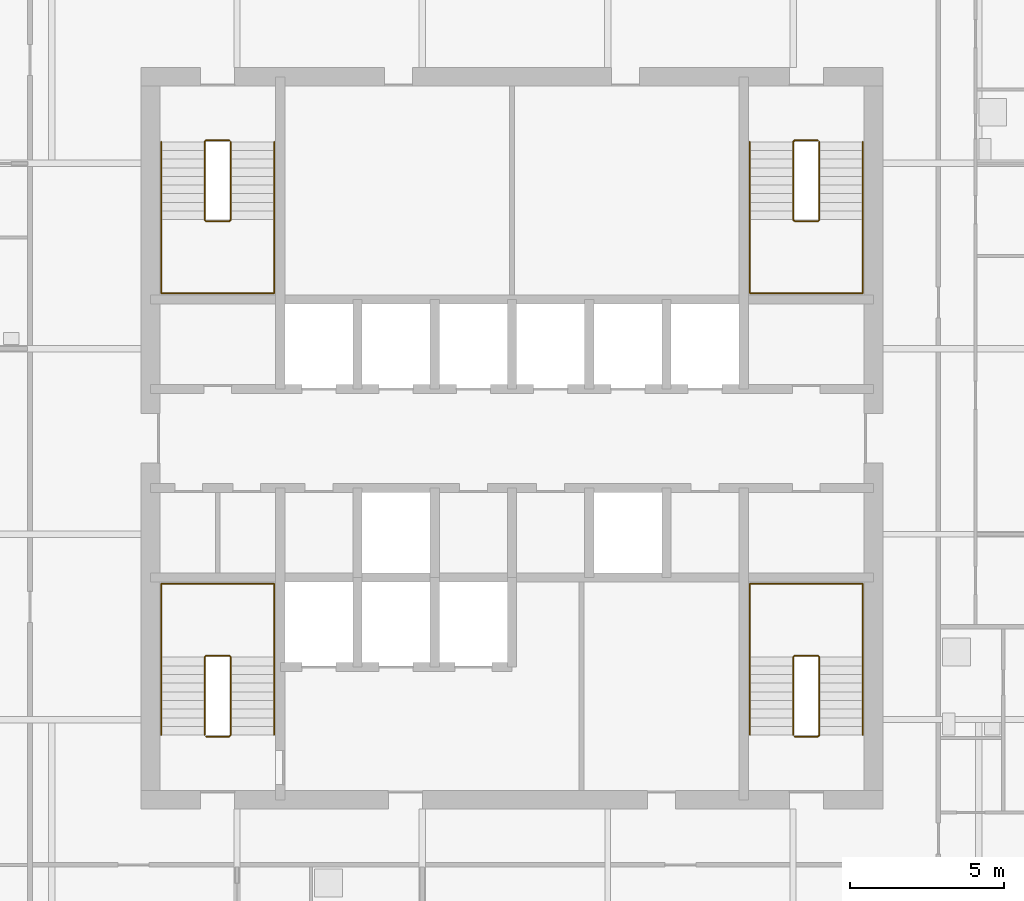
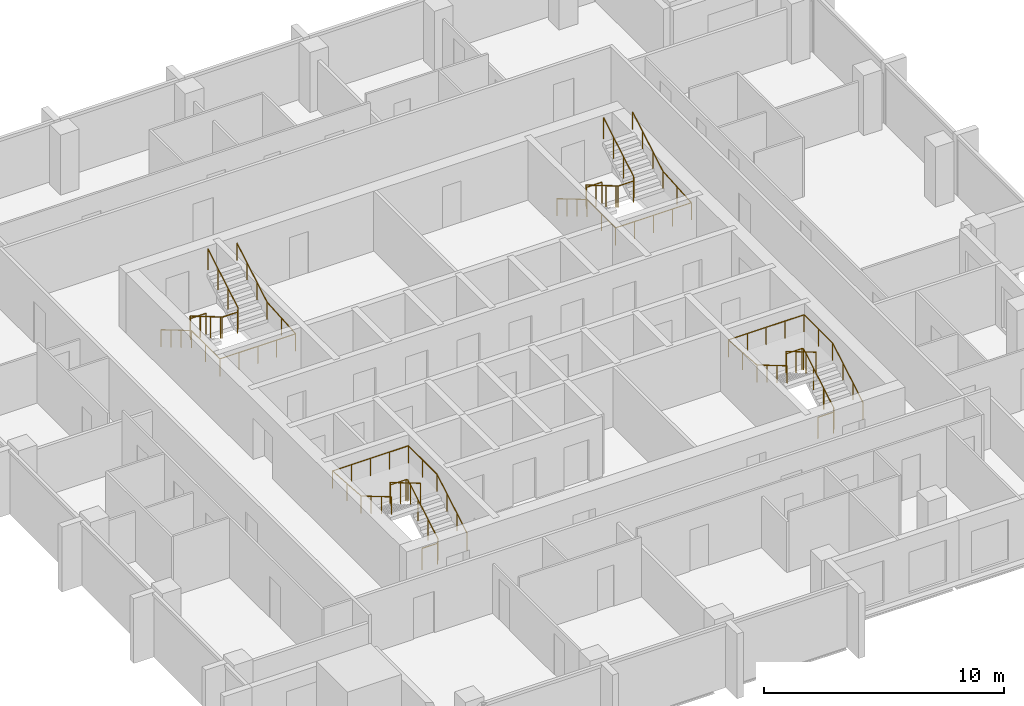
# One storey, part 9 of 10: 8 railings.
"""IFC4 building model written with IfcOpenShell, lengths in metres."""

from ifc_helpers import new_model, si_unit, direction, frame, origin, origin_2d, place, context, subcontext, project, spatial, circle, extrude, material, type_object, element, save


model = new_model("IFC4")

# Units and contexts
model_context = context("Model", 3, precision=1e-05, world=origin(), true_north=direction((0.0, 1.0)))
body_context = subcontext(model_context, "Body", "Model", "MODEL_VIEW")
ifc_project = project(units=[si_unit("LENGTHUNIT", "METRE"), si_unit("AREAUNIT", "SQUARE_METRE"), si_unit("VOLUMEUNIT", "CUBIC_METRE"), si_unit("PLANEANGLEUNIT", "RADIAN"), si_unit("MASSUNIT", "GRAM", prefix="KILO")], contexts=[model_context])

# Site, building, storey
site_placement = place(None, origin())
site = spatial("IfcSite", under=ifc_project, at=site_placement, CompositionType="ELEMENT")
building_placement = place(site_placement, origin())
building = spatial("IfcBuilding", under=site, at=building_placement, Name="Amberfall Residences", CompositionType="ELEMENT")
storey_placement = place(building_placement, frame((0.0, 0.0, 213.39990234375)))
storey = spatial("IfcBuildingStorey", under=building, at=storey_placement, Name="L57", CompositionType="ELEMENT", Elevation=213.39990234375)

# Railings
ifc_material = material(Name="Stainless steel 316", Category="steel")
railing_type_1 = type_object("IfcRailingType", Name="Stair guard 1100", PredefinedType="GUARDRAIL", material=ifc_material)
railing_1_placement = place(storey_placement, frame((64.60009765625, 35.85009765625, 0.0)))
element("IfcRailing", 1, at=railing_1_placement, inside=storey, type_object=railing_type_1, Name="L57 stair 1 guard", PredefinedType="GUARDRAIL", context=body_context, shape_type="SweptSolid", body=[
    extrude(circle(Radius=0.02392578125, at=origin_2d()), frame((0.0, 0.0, 1.076171875), z_axis=(1.0, 0.0, 0.0), x_axis=(0.0, 1.0, 0.0)), (0.0, 0.0, 1.0), 0.75),
    extrude(circle(Radius=0.02392578125, at=origin_2d()), frame((0.75, 0.0, 1.076171875), z_axis=(0.27755538755, 0.27755538755, 0.919742362667), x_axis=(-0.707106781187, 0.707106781187, 0.0)), (0.0, 0.0, 1.0), 0.179443359375),
    extrude(circle(Radius=0.02392578125, at=origin_2d()), frame((0.7998046875, 0.0498046875, 1.2412109375), z_axis=(0.0, 0.86152411907, 0.507716645641), x_axis=(-1.0, 0.0, 0.0)), (0.0, 0.0, 1.0), 2.925048828125),
    extrude(circle(Radius=0.02392578125, at=origin_2d()), frame((0.7998046875, 2.56982421875, 2.72607421875), z_axis=(-0.705375805398, 0.708833529934, 0.0), x_axis=(-0.708833529934, -0.705375805398, 0.0)), (0.0, 0.0, 1.0), 0.070556640625),
    extrude(circle(Radius=0.02392578125, at=origin_2d()), frame((0.75, 2.619873046875, 2.72607421875), z_axis=(-1.0, 0.0, 0.0), x_axis=(0.0, -1.0, 0.0)), (0.0, 0.0, 1.0), 0.75),
    extrude(circle(Radius=0.02392578125, at=origin_2d()), frame((0.0, 2.619873046875, 2.72607421875), z_axis=(-0.278705021027, -0.278705021027, 0.919046801044), x_axis=(0.707106781187, -0.707106781187, 0.0)), (0.0, 0.0, 1.0), 0.1796875),
    extrude(circle(Radius=0.02392578125, at=origin_2d()), frame((-0.050048828125, 2.56982421875, 2.89111328125), z_axis=(0.0, -0.861560626758, 0.507654692109), x_axis=(1.0, 0.0, 0.0)), (0.0, 0.0, 1.0), 2.925048828125),
    extrude(circle(Radius=0.02099609375, at=origin_2d()), origin(), (0.0, 0.0, 1.0), 1.052001953125),
    extrude(circle(Radius=0.02099609375, at=origin_2d()), frame((0.75, 0.0, 0.0)), (0.0, 0.0, 1.0), 1.052001953125),
    extrude(circle(Radius=0.02099609375, at=origin_2d()), frame((0.7998046875, 0.0498046875, 0.1650390625)), (0.0, 0.0, 1.0), 1.052001953125),
    extrude(circle(Radius=0.02099609375, at=origin_2d()), frame((0.7998046875, 0.889892578125, 0.66015625)), (0.0, 0.0, 1.0), 1.052001953125),
    extrude(circle(Radius=0.02099609375, at=origin_2d()), frame((0.7998046875, 1.729736328125, 1.155029296875)), (0.0, 0.0, 1.0), 1.052001953125),
    extrude(circle(Radius=0.02099609375, at=origin_2d()), frame((0.7998046875, 2.56982421875, 1.650146484375)), (0.0, 0.0, 1.0), 1.052001953125),
    extrude(circle(Radius=0.02099609375, at=origin_2d()), frame((0.75, 2.619873046875, 1.650146484375)), (0.0, 0.0, 1.0), 1.052001953125),
    extrude(circle(Radius=0.02099609375, at=origin_2d()), frame((0.0, 2.619873046875, 1.650146484375)), (0.0, 0.0, 1.0), 1.052001953125),
    extrude(circle(Radius=0.02099609375, at=origin_2d()), frame((-0.050048828125, 2.56982421875, 1.815185546875)), (0.0, 0.0, 1.0), 1.052001953125),
    extrude(circle(Radius=0.02099609375, at=origin_2d()), frame((-0.050048828125, 1.729736328125, 2.31005859375)), (0.0, 0.0, 1.0), 1.052001953125),
    extrude(circle(Radius=0.02099609375, at=origin_2d()), frame((-0.050048828125, 0.889892578125, 2.80517578125)), (0.0, 0.0, 1.0), 1.052001953125),
    extrude(circle(Radius=0.02099609375, at=origin_2d()), frame((-0.050048828125, 0.0498046875, 3.300048828125)), (0.0, 0.0, 1.0), 1.052001953125),
])
railing_2_placement = place(storey_placement, frame((83.64990234375, 35.85009765625, 0.0)))
element("IfcRailing", 2, at=railing_2_placement, inside=storey, type_object=railing_type_1, Name="L57 stair 2 guard", PredefinedType="GUARDRAIL", context=body_context, shape_type="SweptSolid", body=[
    extrude(circle(Radius=0.02392578125, at=origin_2d()), frame((0.0, 0.0, 1.076171875), z_axis=(1.0, 0.0, 0.0), x_axis=(0.0, 1.0, 0.0)), (0.0, 0.0, 1.0), 0.75),
    extrude(circle(Radius=0.02392578125, at=origin_2d()), frame((0.75, 0.0, 1.076171875), z_axis=(0.278810427259, 0.277450376394, 0.919394384522), x_axis=(-0.705375805398, 0.708833529934, 0.0)), (0.0, 0.0, 1.0), 0.179443359375),
    extrude(circle(Radius=0.02392578125, at=origin_2d()), frame((0.800048828125, 0.0498046875, 1.2412109375), z_axis=(0.0, 0.86152411907, 0.507716645641), x_axis=(-1.0, 0.0, 0.0)), (0.0, 0.0, 1.0), 2.925048828125),
    extrude(circle(Radius=0.02392578125, at=origin_2d()), frame((0.800048828125, 2.56982421875, 2.72607421875), z_axis=(-0.707106781187, 0.707106781187, 0.0), x_axis=(-0.707106781187, -0.707106781187, 0.0)), (0.0, 0.0, 1.0), 0.07080078125),
    extrude(circle(Radius=0.02392578125, at=origin_2d()), frame((0.75, 2.619873046875, 2.72607421875), z_axis=(-1.0, 0.0, 0.0), x_axis=(0.0, -1.0, 0.0)), (0.0, 0.0, 1.0), 0.75),
    extrude(circle(Radius=0.02392578125, at=origin_2d()), frame((0.0, 2.619873046875, 2.72607421875), z_axis=(-0.277450376394, -0.278810427259, 0.919394384522), x_axis=(0.708833529934, -0.705375805398, 0.0)), (0.0, 0.0, 1.0), 0.179443359375),
    extrude(circle(Radius=0.02392578125, at=origin_2d()), frame((-0.0498046875, 2.56982421875, 2.89111328125), z_axis=(0.0, -0.861560626758, 0.507654692109), x_axis=(1.0, 0.0, 0.0)), (0.0, 0.0, 1.0), 2.925048828125),
    extrude(circle(Radius=0.02099609375, at=origin_2d()), origin(), (0.0, 0.0, 1.0), 1.052001953125),
    extrude(circle(Radius=0.02099609375, at=origin_2d()), frame((0.75, 0.0, 0.0)), (0.0, 0.0, 1.0), 1.052001953125),
    extrude(circle(Radius=0.02099609375, at=origin_2d()), frame((0.800048828125, 0.0498046875, 0.1650390625)), (0.0, 0.0, 1.0), 1.052001953125),
    extrude(circle(Radius=0.02099609375, at=origin_2d()), frame((0.800048828125, 0.889892578125, 0.66015625)), (0.0, 0.0, 1.0), 1.052001953125),
    extrude(circle(Radius=0.02099609375, at=origin_2d()), frame((0.800048828125, 1.729736328125, 1.155029296875)), (0.0, 0.0, 1.0), 1.052001953125),
    extrude(circle(Radius=0.02099609375, at=origin_2d()), frame((0.800048828125, 2.56982421875, 1.650146484375)), (0.0, 0.0, 1.0), 1.052001953125),
    extrude(circle(Radius=0.02099609375, at=origin_2d()), frame((0.75, 2.619873046875, 1.650146484375)), (0.0, 0.0, 1.0), 1.052001953125),
    extrude(circle(Radius=0.02099609375, at=origin_2d()), frame((0.0, 2.619873046875, 1.650146484375)), (0.0, 0.0, 1.0), 1.052001953125),
    extrude(circle(Radius=0.02099609375, at=origin_2d()), frame((-0.0498046875, 2.56982421875, 1.815185546875)), (0.0, 0.0, 1.0), 1.052001953125),
    extrude(circle(Radius=0.02099609375, at=origin_2d()), frame((-0.0498046875, 1.729736328125, 2.31005859375)), (0.0, 0.0, 1.0), 1.052001953125),
    extrude(circle(Radius=0.02099609375, at=origin_2d()), frame((-0.0498046875, 0.889892578125, 2.80517578125)), (0.0, 0.0, 1.0), 1.052001953125),
    extrude(circle(Radius=0.02099609375, at=origin_2d()), frame((-0.0498046875, 0.0498046875, 3.300048828125)), (0.0, 0.0, 1.0), 1.052001953125),
])
railing_3_placement = place(storey_placement, frame((84.39990234375, 55.14990234375, 0.0)))
element("IfcRailing", 3, at=railing_3_placement, inside=storey, type_object=railing_type_1, Name="L57 stair 3 guard", PredefinedType="GUARDRAIL", context=body_context, shape_type="SweptSolid", body=[
    extrude(circle(Radius=0.02392578125, at=origin_2d()), frame((0.0, 0.0, 1.076171875), z_axis=(-1.0, 0.0, 0.0), x_axis=(0.0, -1.0, 0.0)), (0.0, 0.0, 1.0), 0.75),
    extrude(circle(Radius=0.02392578125, at=origin_2d()), frame((-0.75, 0.0, 1.076171875), z_axis=(-0.27755538755, -0.27755538755, 0.919742362667), x_axis=(0.707106781187, -0.707106781187, 0.0)), (0.0, 0.0, 1.0), 0.179443359375),
    extrude(circle(Radius=0.02392578125, at=origin_2d()), frame((-0.7998046875, -0.0498046875, 1.2412109375), z_axis=(0.0, -0.86152411907, 0.507716645641), x_axis=(1.0, 0.0, 0.0)), (0.0, 0.0, 1.0), 2.925048828125),
    extrude(circle(Radius=0.02392578125, at=origin_2d()), frame((-0.7998046875, -2.56982421875, 2.72607421875), z_axis=(0.705375805398, -0.708833529934, 0.0), x_axis=(0.708833529934, 0.705375805398, 0.0)), (0.0, 0.0, 1.0), 0.070556640625),
    extrude(circle(Radius=0.02392578125, at=origin_2d()), frame((-0.75, -2.619873046875, 2.72607421875), z_axis=(1.0, 0.0, 0.0), x_axis=(0.0, 1.0, 0.0)), (0.0, 0.0, 1.0), 0.75),
    extrude(circle(Radius=0.02392578125, at=origin_2d()), frame((0.0, -2.619873046875, 2.72607421875), z_axis=(0.278705021027, 0.278705021027, 0.919046801044), x_axis=(-0.707106781187, 0.707106781187, 0.0)), (0.0, 0.0, 1.0), 0.1796875),
    extrude(circle(Radius=0.02392578125, at=origin_2d()), frame((0.050048828125, -2.56982421875, 2.89111328125), z_axis=(0.0, 0.861560626758, 0.507654692109), x_axis=(-1.0, 0.0, 0.0)), (0.0, 0.0, 1.0), 2.925048828125),
    extrude(circle(Radius=0.02099609375, at=origin_2d()), origin(), (0.0, 0.0, 1.0), 1.052001953125),
    extrude(circle(Radius=0.02099609375, at=origin_2d()), frame((-0.75, 0.0, 0.0)), (0.0, 0.0, 1.0), 1.052001953125),
    extrude(circle(Radius=0.02099609375, at=origin_2d()), frame((-0.7998046875, -0.0498046875, 0.1650390625)), (0.0, 0.0, 1.0), 1.052001953125),
    extrude(circle(Radius=0.02099609375, at=origin_2d()), frame((-0.7998046875, -0.889892578125, 0.66015625)), (0.0, 0.0, 1.0), 1.052001953125),
    extrude(circle(Radius=0.02099609375, at=origin_2d()), frame((-0.7998046875, -1.729736328125, 1.155029296875)), (0.0, 0.0, 1.0), 1.052001953125),
    extrude(circle(Radius=0.02099609375, at=origin_2d()), frame((-0.7998046875, -2.56982421875, 1.650146484375)), (0.0, 0.0, 1.0), 1.052001953125),
    extrude(circle(Radius=0.02099609375, at=origin_2d()), frame((-0.75, -2.619873046875, 1.650146484375)), (0.0, 0.0, 1.0), 1.052001953125),
    extrude(circle(Radius=0.02099609375, at=origin_2d()), frame((0.0, -2.619873046875, 1.650146484375)), (0.0, 0.0, 1.0), 1.052001953125),
    extrude(circle(Radius=0.02099609375, at=origin_2d()), frame((0.050048828125, -2.56982421875, 1.815185546875)), (0.0, 0.0, 1.0), 1.052001953125),
    extrude(circle(Radius=0.02099609375, at=origin_2d()), frame((0.050048828125, -1.729736328125, 2.31005859375)), (0.0, 0.0, 1.0), 1.052001953125),
    extrude(circle(Radius=0.02099609375, at=origin_2d()), frame((0.050048828125, -0.889892578125, 2.80517578125)), (0.0, 0.0, 1.0), 1.052001953125),
    extrude(circle(Radius=0.02099609375, at=origin_2d()), frame((0.050048828125, -0.0498046875, 3.300048828125)), (0.0, 0.0, 1.0), 1.052001953125),
])
railing_4_placement = place(storey_placement, frame((65.35009765625, 55.14990234375, 0.0)))
element("IfcRailing", 4, at=railing_4_placement, inside=storey, type_object=railing_type_1, Name="L57 stair 4 guard", PredefinedType="GUARDRAIL", context=body_context, shape_type="SweptSolid", body=[
    extrude(circle(Radius=0.02392578125, at=origin_2d()), frame((0.0, 0.0, 1.076171875), z_axis=(-1.0, 0.0, 0.0), x_axis=(0.0, -1.0, 0.0)), (0.0, 0.0, 1.0), 0.75),
    extrude(circle(Radius=0.02392578125, at=origin_2d()), frame((-0.75, 0.0, 1.076171875), z_axis=(-0.278810427259, -0.277450376394, 0.919394384522), x_axis=(0.705375805398, -0.708833529934, 0.0)), (0.0, 0.0, 1.0), 0.179443359375),
    extrude(circle(Radius=0.02392578125, at=origin_2d()), frame((-0.800048828125, -0.0498046875, 1.2412109375), z_axis=(0.0, -0.86152411907, 0.507716645641), x_axis=(1.0, 0.0, 0.0)), (0.0, 0.0, 1.0), 2.925048828125),
    extrude(circle(Radius=0.02392578125, at=origin_2d()), frame((-0.800048828125, -2.56982421875, 2.72607421875), z_axis=(0.707106781187, -0.707106781187, 0.0), x_axis=(0.707106781187, 0.707106781187, 0.0)), (0.0, 0.0, 1.0), 0.07080078125),
    extrude(circle(Radius=0.02392578125, at=origin_2d()), frame((-0.75, -2.619873046875, 2.72607421875), z_axis=(1.0, 0.0, 0.0), x_axis=(0.0, 1.0, 0.0)), (0.0, 0.0, 1.0), 0.75),
    extrude(circle(Radius=0.02392578125, at=origin_2d()), frame((0.0, -2.619873046875, 2.72607421875), z_axis=(0.277450376394, 0.278810427259, 0.919394384522), x_axis=(-0.708833529934, 0.705375805398, 0.0)), (0.0, 0.0, 1.0), 0.179443359375),
    extrude(circle(Radius=0.02392578125, at=origin_2d()), frame((0.0498046875, -2.56982421875, 2.89111328125), z_axis=(0.0, 0.861560626758, 0.507654692109), x_axis=(-1.0, 0.0, 0.0)), (0.0, 0.0, 1.0), 2.925048828125),
    extrude(circle(Radius=0.02099609375, at=origin_2d()), origin(), (0.0, 0.0, 1.0), 1.052001953125),
    extrude(circle(Radius=0.02099609375, at=origin_2d()), frame((-0.75, 0.0, 0.0)), (0.0, 0.0, 1.0), 1.052001953125),
    extrude(circle(Radius=0.02099609375, at=origin_2d()), frame((-0.800048828125, -0.0498046875, 0.1650390625)), (0.0, 0.0, 1.0), 1.052001953125),
    extrude(circle(Radius=0.02099609375, at=origin_2d()), frame((-0.800048828125, -0.889892578125, 0.66015625)), (0.0, 0.0, 1.0), 1.052001953125),
    extrude(circle(Radius=0.02099609375, at=origin_2d()), frame((-0.800048828125, -1.729736328125, 1.155029296875)), (0.0, 0.0, 1.0), 1.052001953125),
    extrude(circle(Radius=0.02099609375, at=origin_2d()), frame((-0.800048828125, -2.56982421875, 1.650146484375)), (0.0, 0.0, 1.0), 1.052001953125),
    extrude(circle(Radius=0.02099609375, at=origin_2d()), frame((-0.75, -2.619873046875, 1.650146484375)), (0.0, 0.0, 1.0), 1.052001953125),
    extrude(circle(Radius=0.02099609375, at=origin_2d()), frame((0.0, -2.619873046875, 1.650146484375)), (0.0, 0.0, 1.0), 1.052001953125),
    extrude(circle(Radius=0.02099609375, at=origin_2d()), frame((0.0498046875, -2.56982421875, 1.815185546875)), (0.0, 0.0, 1.0), 1.052001953125),
    extrude(circle(Radius=0.02099609375, at=origin_2d()), frame((0.0498046875, -1.729736328125, 2.31005859375)), (0.0, 0.0, 1.0), 1.052001953125),
    extrude(circle(Radius=0.02099609375, at=origin_2d()), frame((0.0498046875, -0.889892578125, 2.80517578125)), (0.0, 0.0, 1.0), 1.052001953125),
    extrude(circle(Radius=0.02099609375, at=origin_2d()), frame((0.0498046875, -0.0498046875, 3.300048828125)), (0.0, 0.0, 1.0), 1.052001953125),
])
railing_type_2 = type_object("IfcRailingType", Name="Stair handrail 900", PredefinedType="HANDRAIL", material=ifc_material)
railing_5_placement = place(storey_placement, frame((66.800048828125, 35.89990234375, 0.1650390625)))
element("IfcRailing", 5, at=railing_5_placement, inside=storey, type_object=railing_type_2, Name="L57 stair 1 handrail", PredefinedType="HANDRAIL", context=body_context, shape_type="SweptSolid", body=[
    extrude(circle(Radius=0.02392578125, at=origin_2d()), frame((0.0, 0.0, 0.8759765625), z_axis=(0.0, 0.86152411907, 0.507716645641), x_axis=(-1.0, 0.0, 0.0)), (0.0, 0.0, 1.0), 2.925048828125),
    extrude(circle(Radius=0.02392578125, at=origin_2d()), frame((0.0, 2.52001953125, 2.36083984375), z_axis=(0.0, 1.0, 0.0), x_axis=(-1.0, 0.0, 0.0)), (0.0, 0.0, 1.0), 2.380126953125),
    extrude(circle(Radius=0.02392578125, at=origin_2d()), frame((0.0, 4.900146484375, 2.36083984375), z_axis=(-1.0, 0.0, 0.0), x_axis=(0.0, -1.0, 0.0)), (0.0, 0.0, 1.0), 3.650146484375),
    extrude(circle(Radius=0.02392578125, at=origin_2d()), frame((-3.650146484375, 4.900146484375, 2.36083984375), z_axis=(0.0, -0.997604585917, 0.069174346095), x_axis=(1.0, 0.0, 0.0)), (0.0, 0.0, 1.0), 2.3857421875),
    extrude(circle(Radius=0.02392578125, at=origin_2d()), frame((-3.650146484375, 2.52001953125, 2.52587890625), z_axis=(0.0, -0.861560626758, 0.507654692109), x_axis=(1.0, 0.0, 0.0)), (0.0, 0.0, 1.0), 2.925048828125),
    extrude(circle(Radius=0.02099609375, at=origin_2d()), origin(), (0.0, 0.0, 1.0), 0.851806640625),
    extrude(circle(Radius=0.02099609375, at=origin_2d()), frame((0.0, 0.840087890625, 0.4951171875)), (0.0, 0.0, 1.0), 0.851806640625),
    extrude(circle(Radius=0.02099609375, at=origin_2d()), frame((0.0, 1.679931640625, 0.989990234375)), (0.0, 0.0, 1.0), 0.851806640625),
    extrude(circle(Radius=0.02099609375, at=origin_2d()), frame((0.0, 2.52001953125, 1.485107421875)), (0.0, 0.0, 1.0), 0.851806640625),
    extrude(circle(Radius=0.02099609375, at=origin_2d()), frame((0.0, 3.7099609375, 1.485107421875)), (0.0, 0.0, 1.0), 0.851806640625),
    extrude(circle(Radius=0.02099609375, at=origin_2d()), frame((0.0, 4.900146484375, 1.485107421875)), (0.0, 0.0, 1.0), 0.851806640625),
    extrude(circle(Radius=0.02099609375, at=origin_2d()), frame((-0.91259765625, 4.900146484375, 1.485107421875)), (0.0, 0.0, 1.0), 0.851806640625),
    extrude(circle(Radius=0.02099609375, at=origin_2d()), frame((-1.8251953125, 4.900146484375, 1.485107421875)), (0.0, 0.0, 1.0), 0.851806640625),
    extrude(circle(Radius=0.02099609375, at=origin_2d()), frame((-2.737548828125, 4.900146484375, 1.485107421875)), (0.0, 0.0, 1.0), 0.851806640625),
    extrude(circle(Radius=0.02099609375, at=origin_2d()), frame((-3.650146484375, 4.900146484375, 1.485107421875)), (0.0, 0.0, 1.0), 0.851806640625),
    extrude(circle(Radius=0.02099609375, at=origin_2d()), frame((-3.650146484375, 3.7099609375, 1.567626953125)), (0.0, 0.0, 1.0), 0.851806640625),
    extrude(circle(Radius=0.02099609375, at=origin_2d()), frame((-3.650146484375, 2.52001953125, 1.650146484375)), (0.0, 0.0, 1.0), 0.851806640625),
    extrude(circle(Radius=0.02099609375, at=origin_2d()), frame((-3.650146484375, 1.679931640625, 2.14501953125)), (0.0, 0.0, 1.0), 0.851806640625),
    extrude(circle(Radius=0.02099609375, at=origin_2d()), frame((-3.650146484375, 0.840087890625, 2.64013671875)), (0.0, 0.0, 1.0), 0.851806640625),
    extrude(circle(Radius=0.02099609375, at=origin_2d()), frame((-3.650146484375, 0.0, 3.135009765625)), (0.0, 0.0, 1.0), 0.851806640625),
])
railing_6_placement = place(storey_placement, frame((85.85009765625, 35.89990234375, 0.1650390625)))
element("IfcRailing", 6, at=railing_6_placement, inside=storey, type_object=railing_type_2, Name="L57 stair 2 handrail", PredefinedType="HANDRAIL", context=body_context, shape_type="SweptSolid", body=[
    extrude(circle(Radius=0.02392578125, at=origin_2d()), frame((0.0, 0.0, 0.8759765625), z_axis=(0.0, 0.86152411907, 0.507716645641), x_axis=(-1.0, 0.0, 0.0)), (0.0, 0.0, 1.0), 2.925048828125),
    extrude(circle(Radius=0.02392578125, at=origin_2d()), frame((0.0, 2.52001953125, 2.36083984375), z_axis=(0.0, 1.0, 0.0), x_axis=(-1.0, 0.0, 0.0)), (0.0, 0.0, 1.0), 2.380126953125),
    extrude(circle(Radius=0.02392578125, at=origin_2d()), frame((0.0, 4.900146484375, 2.36083984375), z_axis=(-1.0, 0.0, 0.0), x_axis=(0.0, -1.0, 0.0)), (0.0, 0.0, 1.0), 3.650146484375),
    extrude(circle(Radius=0.02392578125, at=origin_2d()), frame((-3.650146484375, 4.900146484375, 2.36083984375), z_axis=(0.0, -0.997604585917, 0.069174346095), x_axis=(1.0, 0.0, 0.0)), (0.0, 0.0, 1.0), 2.3857421875),
    extrude(circle(Radius=0.02392578125, at=origin_2d()), frame((-3.650146484375, 2.52001953125, 2.52587890625), z_axis=(0.0, -0.861560626758, 0.507654692109), x_axis=(1.0, 0.0, 0.0)), (0.0, 0.0, 1.0), 2.925048828125),
    extrude(circle(Radius=0.02099609375, at=origin_2d()), origin(), (0.0, 0.0, 1.0), 0.851806640625),
    extrude(circle(Radius=0.02099609375, at=origin_2d()), frame((0.0, 0.840087890625, 0.4951171875)), (0.0, 0.0, 1.0), 0.851806640625),
    extrude(circle(Radius=0.02099609375, at=origin_2d()), frame((0.0, 1.679931640625, 0.989990234375)), (0.0, 0.0, 1.0), 0.851806640625),
    extrude(circle(Radius=0.02099609375, at=origin_2d()), frame((0.0, 2.52001953125, 1.485107421875)), (0.0, 0.0, 1.0), 0.851806640625),
    extrude(circle(Radius=0.02099609375, at=origin_2d()), frame((0.0, 3.7099609375, 1.485107421875)), (0.0, 0.0, 1.0), 0.851806640625),
    extrude(circle(Radius=0.02099609375, at=origin_2d()), frame((0.0, 4.900146484375, 1.485107421875)), (0.0, 0.0, 1.0), 0.851806640625),
    extrude(circle(Radius=0.02099609375, at=origin_2d()), frame((-0.91259765625, 4.900146484375, 1.485107421875)), (0.0, 0.0, 1.0), 0.851806640625),
    extrude(circle(Radius=0.02099609375, at=origin_2d()), frame((-1.8251953125, 4.900146484375, 1.485107421875)), (0.0, 0.0, 1.0), 0.851806640625),
    extrude(circle(Radius=0.02099609375, at=origin_2d()), frame((-2.737548828125, 4.900146484375, 1.485107421875)), (0.0, 0.0, 1.0), 0.851806640625),
    extrude(circle(Radius=0.02099609375, at=origin_2d()), frame((-3.650146484375, 4.900146484375, 1.485107421875)), (0.0, 0.0, 1.0), 0.851806640625),
    extrude(circle(Radius=0.02099609375, at=origin_2d()), frame((-3.650146484375, 3.7099609375, 1.567626953125)), (0.0, 0.0, 1.0), 0.851806640625),
    extrude(circle(Radius=0.02099609375, at=origin_2d()), frame((-3.650146484375, 2.52001953125, 1.650146484375)), (0.0, 0.0, 1.0), 0.851806640625),
    extrude(circle(Radius=0.02099609375, at=origin_2d()), frame((-3.650146484375, 1.679931640625, 2.14501953125)), (0.0, 0.0, 1.0), 0.851806640625),
    extrude(circle(Radius=0.02099609375, at=origin_2d()), frame((-3.650146484375, 0.840087890625, 2.64013671875)), (0.0, 0.0, 1.0), 0.851806640625),
    extrude(circle(Radius=0.02099609375, at=origin_2d()), frame((-3.650146484375, 0.0, 3.135009765625)), (0.0, 0.0, 1.0), 0.851806640625),
])
railing_7_placement = place(storey_placement, frame((82.199951171875, 55.10009765625, 0.1650390625)))
element("IfcRailing", 7, at=railing_7_placement, inside=storey, type_object=railing_type_2, Name="L57 stair 3 handrail", PredefinedType="HANDRAIL", context=body_context, shape_type="SweptSolid", body=[
    extrude(circle(Radius=0.02392578125, at=origin_2d()), frame((0.0, 0.0, 0.8759765625), z_axis=(0.0, -0.86152411907, 0.507716645641), x_axis=(1.0, 0.0, 0.0)), (0.0, 0.0, 1.0), 2.925048828125),
    extrude(circle(Radius=0.02392578125, at=origin_2d()), frame((0.0, -2.52001953125, 2.36083984375), z_axis=(0.0, -1.0, 0.0), x_axis=(1.0, 0.0, 0.0)), (0.0, 0.0, 1.0), 2.380126953125),
    extrude(circle(Radius=0.02392578125, at=origin_2d()), frame((0.0, -4.900146484375, 2.36083984375), z_axis=(1.0, 0.0, 0.0), x_axis=(0.0, 1.0, 0.0)), (0.0, 0.0, 1.0), 3.650146484375),
    extrude(circle(Radius=0.02392578125, at=origin_2d()), frame((3.650146484375, -4.900146484375, 2.36083984375), z_axis=(0.0, 0.997604585917, 0.069174346095), x_axis=(-1.0, 0.0, 0.0)), (0.0, 0.0, 1.0), 2.3857421875),
    extrude(circle(Radius=0.02392578125, at=origin_2d()), frame((3.650146484375, -2.52001953125, 2.52587890625), z_axis=(0.0, 0.861560626758, 0.507654692109), x_axis=(-1.0, 0.0, 0.0)), (0.0, 0.0, 1.0), 2.925048828125),
    extrude(circle(Radius=0.02099609375, at=origin_2d()), origin(), (0.0, 0.0, 1.0), 0.851806640625),
    extrude(circle(Radius=0.02099609375, at=origin_2d()), frame((0.0, -0.840087890625, 0.4951171875)), (0.0, 0.0, 1.0), 0.851806640625),
    extrude(circle(Radius=0.02099609375, at=origin_2d()), frame((0.0, -1.679931640625, 0.989990234375)), (0.0, 0.0, 1.0), 0.851806640625),
    extrude(circle(Radius=0.02099609375, at=origin_2d()), frame((0.0, -2.52001953125, 1.485107421875)), (0.0, 0.0, 1.0), 0.851806640625),
    extrude(circle(Radius=0.02099609375, at=origin_2d()), frame((0.0, -3.7099609375, 1.485107421875)), (0.0, 0.0, 1.0), 0.851806640625),
    extrude(circle(Radius=0.02099609375, at=origin_2d()), frame((0.0, -4.900146484375, 1.485107421875)), (0.0, 0.0, 1.0), 0.851806640625),
    extrude(circle(Radius=0.02099609375, at=origin_2d()), frame((0.91259765625, -4.900146484375, 1.485107421875)), (0.0, 0.0, 1.0), 0.851806640625),
    extrude(circle(Radius=0.02099609375, at=origin_2d()), frame((1.8251953125, -4.900146484375, 1.485107421875)), (0.0, 0.0, 1.0), 0.851806640625),
    extrude(circle(Radius=0.02099609375, at=origin_2d()), frame((2.737548828125, -4.900146484375, 1.485107421875)), (0.0, 0.0, 1.0), 0.851806640625),
    extrude(circle(Radius=0.02099609375, at=origin_2d()), frame((3.650146484375, -4.900146484375, 1.485107421875)), (0.0, 0.0, 1.0), 0.851806640625),
    extrude(circle(Radius=0.02099609375, at=origin_2d()), frame((3.650146484375, -3.7099609375, 1.567626953125)), (0.0, 0.0, 1.0), 0.851806640625),
    extrude(circle(Radius=0.02099609375, at=origin_2d()), frame((3.650146484375, -2.52001953125, 1.650146484375)), (0.0, 0.0, 1.0), 0.851806640625),
    extrude(circle(Radius=0.02099609375, at=origin_2d()), frame((3.650146484375, -1.679931640625, 2.14501953125)), (0.0, 0.0, 1.0), 0.851806640625),
    extrude(circle(Radius=0.02099609375, at=origin_2d()), frame((3.650146484375, -0.840087890625, 2.64013671875)), (0.0, 0.0, 1.0), 0.851806640625),
    extrude(circle(Radius=0.02099609375, at=origin_2d()), frame((3.650146484375, 0.0, 3.135009765625)), (0.0, 0.0, 1.0), 0.851806640625),
])
railing_8_placement = place(storey_placement, frame((63.14990234375, 55.10009765625, 0.1650390625)))
element("IfcRailing", 8, at=railing_8_placement, inside=storey, type_object=railing_type_2, Name="L57 stair 4 handrail", PredefinedType="HANDRAIL", context=body_context, shape_type="SweptSolid", body=[
    extrude(circle(Radius=0.02392578125, at=origin_2d()), frame((0.0, 0.0, 0.8759765625), z_axis=(0.0, -0.86152411907, 0.507716645641), x_axis=(1.0, 0.0, 0.0)), (0.0, 0.0, 1.0), 2.925048828125),
    extrude(circle(Radius=0.02392578125, at=origin_2d()), frame((0.0, -2.52001953125, 2.36083984375), z_axis=(0.0, -1.0, 0.0), x_axis=(1.0, 0.0, 0.0)), (0.0, 0.0, 1.0), 2.380126953125),
    extrude(circle(Radius=0.02392578125, at=origin_2d()), frame((0.0, -4.900146484375, 2.36083984375), z_axis=(1.0, 0.0, 0.0), x_axis=(0.0, 1.0, 0.0)), (0.0, 0.0, 1.0), 3.650146484375),
    extrude(circle(Radius=0.02392578125, at=origin_2d()), frame((3.650146484375, -4.900146484375, 2.36083984375), z_axis=(0.0, 0.997604585917, 0.069174346095), x_axis=(-1.0, 0.0, 0.0)), (0.0, 0.0, 1.0), 2.3857421875),
    extrude(circle(Radius=0.02392578125, at=origin_2d()), frame((3.650146484375, -2.52001953125, 2.52587890625), z_axis=(0.0, 0.861560626758, 0.507654692109), x_axis=(-1.0, 0.0, 0.0)), (0.0, 0.0, 1.0), 2.925048828125),
    extrude(circle(Radius=0.02099609375, at=origin_2d()), origin(), (0.0, 0.0, 1.0), 0.851806640625),
    extrude(circle(Radius=0.02099609375, at=origin_2d()), frame((0.0, -0.840087890625, 0.4951171875)), (0.0, 0.0, 1.0), 0.851806640625),
    extrude(circle(Radius=0.02099609375, at=origin_2d()), frame((0.0, -1.679931640625, 0.989990234375)), (0.0, 0.0, 1.0), 0.851806640625),
    extrude(circle(Radius=0.02099609375, at=origin_2d()), frame((0.0, -2.52001953125, 1.485107421875)), (0.0, 0.0, 1.0), 0.851806640625),
    extrude(circle(Radius=0.02099609375, at=origin_2d()), frame((0.0, -3.7099609375, 1.485107421875)), (0.0, 0.0, 1.0), 0.851806640625),
    extrude(circle(Radius=0.02099609375, at=origin_2d()), frame((0.0, -4.900146484375, 1.485107421875)), (0.0, 0.0, 1.0), 0.851806640625),
    extrude(circle(Radius=0.02099609375, at=origin_2d()), frame((0.91259765625, -4.900146484375, 1.485107421875)), (0.0, 0.0, 1.0), 0.851806640625),
    extrude(circle(Radius=0.02099609375, at=origin_2d()), frame((1.8251953125, -4.900146484375, 1.485107421875)), (0.0, 0.0, 1.0), 0.851806640625),
    extrude(circle(Radius=0.02099609375, at=origin_2d()), frame((2.737548828125, -4.900146484375, 1.485107421875)), (0.0, 0.0, 1.0), 0.851806640625),
    extrude(circle(Radius=0.02099609375, at=origin_2d()), frame((3.650146484375, -4.900146484375, 1.485107421875)), (0.0, 0.0, 1.0), 0.851806640625),
    extrude(circle(Radius=0.02099609375, at=origin_2d()), frame((3.650146484375, -3.7099609375, 1.567626953125)), (0.0, 0.0, 1.0), 0.851806640625),
    extrude(circle(Radius=0.02099609375, at=origin_2d()), frame((3.650146484375, -2.52001953125, 1.650146484375)), (0.0, 0.0, 1.0), 0.851806640625),
    extrude(circle(Radius=0.02099609375, at=origin_2d()), frame((3.650146484375, -1.679931640625, 2.14501953125)), (0.0, 0.0, 1.0), 0.851806640625),
    extrude(circle(Radius=0.02099609375, at=origin_2d()), frame((3.650146484375, -0.840087890625, 2.64013671875)), (0.0, 0.0, 1.0), 0.851806640625),
    extrude(circle(Radius=0.02099609375, at=origin_2d()), frame((3.650146484375, 0.0, 3.135009765625)), (0.0, 0.0, 1.0), 0.851806640625),
])

save(model, "model.ifc")
